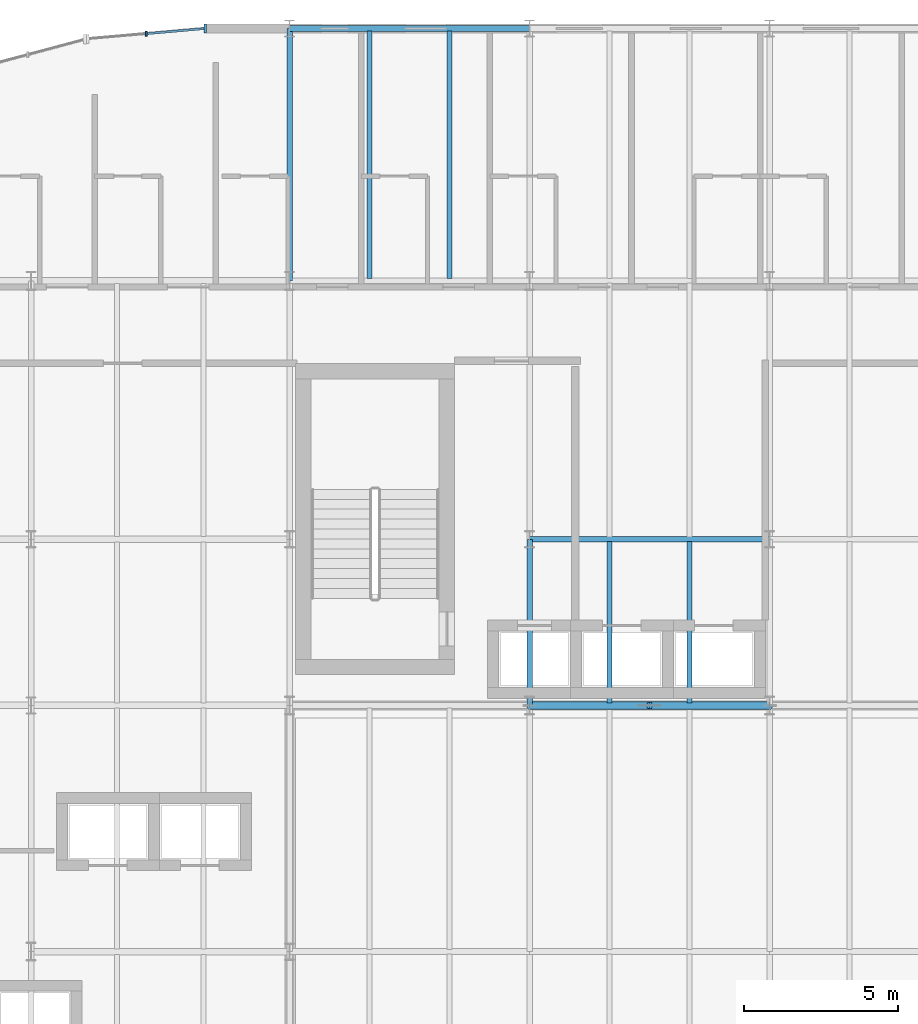
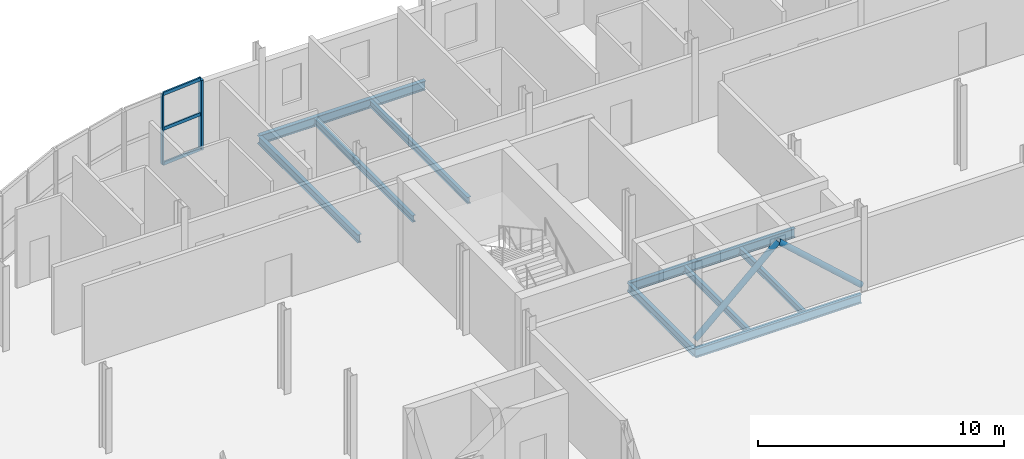
# One storey, part 22 of 58: 9 beams, 7 members, 1 element without a shape of its own.
"""IFC4 building model written with IfcOpenShell, lengths in metres."""

from ifc_helpers import new_model, si_unit, direction, frame, origin, origin_2d, place, context, subcontext, project, spatial, rectangle, hollow_circle, i_section, extrude, material, layer, layer_set, material_profile, profile_set, type_object, element, aggregate, save


model = new_model("IFC4")

# Units and contexts
model_context = context("Model", 3, precision=1e-05, world=origin(), true_north=direction((0.0, 1.0)))
body_context = subcontext(model_context, "Body", "Model", "MODEL_VIEW")
ifc_project = project(units=[si_unit("LENGTHUNIT", "METRE"), si_unit("AREAUNIT", "SQUARE_METRE"), si_unit("VOLUMEUNIT", "CUBIC_METRE"), si_unit("PLANEANGLEUNIT", "RADIAN"), si_unit("MASSUNIT", "GRAM", prefix="KILO")], contexts=[model_context])

# Site, building, storey
site_placement = place(None, origin())
site = spatial("IfcSite", under=ifc_project, at=site_placement, CompositionType="ELEMENT")
building_placement = place(site_placement, origin())
building = spatial("IfcBuilding", under=site, at=building_placement, Name="Sefraquen Railside Congress Hotel", CompositionType="ELEMENT")
storey_placement = place(building_placement, frame((0.0, 0.0, 16.199951171875)))
storey = spatial("IfcBuildingStorey", under=building, at=storey_placement, Name="L03", CompositionType="ELEMENT", Elevation=16.199951171875)

# Beams
ifc_material_1 = material(Name="Steel S355JR", Category="steel")
ifc_material_profile_1 = material_profile(ifc_material_1, i_section(OverallWidth=0.179931640625, OverallDepth=0.39990234375, WebThickness=0.008544921875, FlangeThickness=0.013427734375, FilletRadius=0.02099609375, at=origin_2d()), Name="IPE 400")
ifc_profile_set_1 = profile_set([ifc_material_profile_1], Name="Steel S355JR")
beam_type_1 = type_object("IfcBeamType", Name="TB-BM-400I", PredefinedType="BEAM", material=ifc_profile_set_1)
beam_1_placement = place(storey_placement, frame((25.199951171875, 109.800048828125, -0.47998046875), z_axis=(0.0, 1.0, 0.0), x_axis=(-1.0, 0.0, 0.0)))
element("IfcBeam", 1, at=beam_1_placement, inside=storey, type_object=beam_type_1, Name="Floor beam BM-L03-1151", PredefinedType="BEAM", context=body_context, shape_type="SweptSolid", body=[
    extrude(i_section(OverallWidth=0.179931640625, OverallDepth=0.39990234375, WebThickness=0.008544921875, FlangeThickness=0.013427734375, FilletRadius=0.02099609375, at=origin_2d()), origin(), (0.0, 0.0, 1.0), 8.199951171875),
])
beam_2_placement = place(storey_placement, frame((33.0, 96.0, -0.47998046875), z_axis=(0.0, 1.0, 0.0), x_axis=(-1.0, 0.0, 0.0)))
element("IfcBeam", 2, at=beam_2_placement, inside=storey, type_object=beam_type_1, Name="Floor beam BM-L03-1161", PredefinedType="BEAM", context=body_context, shape_type="SweptSolid", body=[
    extrude(i_section(OverallWidth=0.179931640625, OverallDepth=0.39990234375, WebThickness=0.008544921875, FlangeThickness=0.013427734375, FilletRadius=0.02099609375, at=origin_2d()), origin(), (0.0, 0.0, 1.0), 5.39990234375),
])
ifc_material_profile_2 = material_profile(ifc_material_1, i_section(OverallWidth=0.18994140625, OverallDepth=0.449951171875, WebThickness=0.009521484375, FlangeThickness=0.0146484375, FilletRadius=0.02099609375, at=origin_2d()), Name="IPE 450")
ifc_profile_set_2 = profile_set([ifc_material_profile_2], Name="Steel S355JR")
beam_type_2 = type_object("IfcBeamType", Name="TB-BM-450", PredefinedType="BEAM", material=ifc_profile_set_2)
for number, where, z_axis, x_axis, name in (
    (3, (33.0, 96.0, -0.5048828125), (1.0, 0.0, 0.0), (0.0, 1.0, 0.0), "Primary girder BM-L03-1074"),
    (4, (33.0, 101.39990234375, -0.5048828125), (1.0, 0.0, 0.0), (0.0, 1.0, 0.0), "Primary girder BM-L03-1093"),
    (5, (25.199951171875, 118.0, -0.5048828125), (1.0, 0.0, 0.0), (0.0, 1.0, 0.0), "Primary girder BM-L03-1117"),
):
    element("IfcBeam", number, at=place(storey_placement, frame(where, z_axis=z_axis, x_axis=x_axis)), inside=storey, type_object=beam_type_2, Name=name, PredefinedType="BEAM", context=body_context, shape_type="SweptSolid", body=[
        extrude(i_section(OverallWidth=0.18994140625, OverallDepth=0.449951171875, WebThickness=0.009521484375, FlangeThickness=0.0146484375, FilletRadius=0.02099609375, at=origin_2d()), origin(), (0.0, 0.0, 1.0), 7.800048828125),
    ])
ifc_material_profile_3 = material_profile(ifc_material_1, i_section(OverallWidth=0.159912109375, OverallDepth=0.330078125, WebThickness=0.007568359375, FlangeThickness=0.011474609375, FilletRadius=0.01806640625, at=origin_2d()), Name="IPE 330")
ifc_profile_set_3 = profile_set([ifc_material_profile_3], Name="Steel S355JR")
beam_type_3 = type_object("IfcBeamType", Name="TB-JST-330", PredefinedType="JOIST", material=ifc_profile_set_3)
for number, where, z_axis, x_axis, name in (
    (6, (27.800048828125, 109.875, -0.445068359375), (0.0, 1.0, 0.0), (-1.0, 0.0, 0.0), "Composite floor joist BM-L03-J0686"),
    (7, (30.39990234375, 109.875, -0.445068359375), (0.0, 1.0, 0.0), (-1.0, 0.0, 0.0), "Composite floor joist BM-L03-J0687"),
):
    element("IfcBeam", number, at=place(storey_placement, frame(where, z_axis=z_axis, x_axis=x_axis)), inside=storey, type_object=beam_type_3, Name=name, PredefinedType="JOIST", context=body_context, shape_type="SweptSolid", body=[
        extrude(i_section(OverallWidth=0.159912109375, OverallDepth=0.330078125, WebThickness=0.007568359375, FlangeThickness=0.011474609375, FilletRadius=0.01806640625, at=origin_2d()), origin(), (0.0, 0.0, 1.0), 8.050048828125),
    ])
for number, where, z_axis, x_axis, name in (
    (8, (35.60009765625, 96.074951171875, -0.445068359375), (0.0, 1.0, 0.0), (-1.0, 0.0, 0.0), "Composite floor joist BM-L03-J0706"),
    (9, (38.199951171875, 96.074951171875, -0.445068359375), (0.0, 1.0, 0.0), (-1.0, 0.0, 0.0), "Composite floor joist BM-L03-J0707"),
):
    element("IfcBeam", number, at=place(storey_placement, frame(where, z_axis=z_axis, x_axis=x_axis)), inside=storey, type_object=beam_type_3, Name=name, PredefinedType="JOIST", context=body_context, shape_type="SweptSolid", body=[
        extrude(i_section(OverallWidth=0.159912109375, OverallDepth=0.330078125, WebThickness=0.007568359375, FlangeThickness=0.011474609375, FilletRadius=0.01806640625, at=origin_2d()), origin(), (0.0, 0.0, 1.0), 5.25),
    ])

# Members
ifc_material_2 = material(Name="Steel S355J2", Category="steel")
ifc_material_profile_4 = material_profile(ifc_material_2, hollow_circle(Radius=0.136474609375, WallThickness=0.012451171875, at=origin_2d()), Name="CHS 273x12.5")
ifc_profile_set_4 = profile_set([ifc_material_profile_4], Name="Steel S355J2")
member_type_1 = type_object("IfcMemberType", Name="TM-BR-273", PredefinedType="BRACE", material=ifc_profile_set_4)
for number, where, z_axis, x_axis, name in (
    (10, (33.0, 96.0, 0.150146484375), (0.742336739582, 0.0, 0.670026988312), (0.0, 1.0, 0.0), "Chevron braced-frame diagonal BF1-L L03"),
    (11, (40.800048828125, 96.0, 0.150146484375), (-0.742357601268, 0.0, 0.670003874496), (0.0, -1.0, 0.0), "Chevron braced-frame diagonal BF1-R L03"),
):
    element("IfcMember", number, at=place(storey_placement, frame(where, z_axis=z_axis, x_axis=x_axis)), inside=storey, type_object=member_type_1, Name=name, PredefinedType="BRACE", context=body_context, shape_type="SweptSolid", body=[
        extrude(hollow_circle(Radius=0.136474609375, WallThickness=0.012451171875, at=origin_2d()), origin(), (0.0, 0.0, 1.0), 5.253662109375),
    ])

# Curtain wall, members
ifc_material_3 = material(Name="Thermally broken anodised aluminium and low-E double glazing", Category="aluminium")
ifc_layer = layer(ifc_material_3, 0.199951171875)
ifc_layer_set = layer_set([ifc_layer], Name="Thermally broken anodised aluminium and low-E double glazing")
curtain_wall_type = type_object("IfcCurtainWallType", Name="TCW-UCW-28", PredefinedType="USERDEFINED", material=ifc_layer_set)
curtain_wall_placement = place(storey_placement, origin())
curtain_wall = element("IfcCurtainWall", 12, at=curtain_wall_placement, inside=storey, type_object=curtain_wall_type, Name="Rotunda L03 curved curtain wall facet 1", ObjectType="UNITISED CURTAIN WALL", PredefinedType="USERDEFINED")
ifc_material_4 = material(Name="Thermally broken anodised aluminium 6063-T6", Category="aluminium")
ifc_material_profile_5 = material_profile(ifc_material_4, rectangle(XDim=0.06005859375, YDim=0.159912109375, at=origin_2d()), Name="CWM 60x160")
ifc_profile_set_5 = profile_set([ifc_material_profile_5], Name="Thermally broken anodised aluminium 6063-T6")
member_type_2 = type_object("IfcMemberType", Name="TM-CWM-01", PredefinedType="MULLION", material=ifc_profile_set_5)
member_1_placement = place(storey_placement, frame((20.54638671875, 117.8291015625, 0.0), z_axis=(0.0, 0.0, 1.0), x_axis=(1.0, 0.0, 0.0)))
member_1 = element("IfcMember", 13, at=member_1_placement, type_object=member_type_2, Name="CW-L03-ROT-01 mullion 2", PredefinedType="MULLION", context=body_context, shape_type="SweptSolid", body=[
    extrude(rectangle(XDim=0.06005859375, YDim=0.159912109375, at=origin_2d()), origin(), (0.0, 0.0, 1.0), 3.469970703125),
])
ifc_material_profile_6 = material_profile(ifc_material_4, rectangle(XDim=0.094970703125, YDim=0.300048828125, at=origin_2d()), Name="CWM 95x300")
ifc_profile_set_6 = profile_set([ifc_material_profile_6], Name="Thermally broken anodised aluminium 6063-T6")
member_type_3 = type_object("IfcMemberType", Name="TM-CWM-08", PredefinedType="MULLION", material=ifc_profile_set_6)
member_2_placement = place(storey_placement, frame((22.460205078125, 117.99658203125, 0.0), z_axis=(0.0, 0.0, 1.0), x_axis=(1.0, 0.0, 0.0)))
member_2 = element("IfcMember", 14, at=member_2_placement, type_object=member_type_3, Name="CW-L03-ROT-01 mullion 1", PredefinedType="MULLION", context=body_context, shape_type="SweptSolid", body=[
    extrude(rectangle(XDim=0.094970703125, YDim=0.300048828125, at=origin_2d()), origin(), (0.0, 0.0, 1.0), 3.469970703125),
])
ifc_material_profile_7 = material_profile(ifc_material_4, rectangle(XDim=0.074951171875, YDim=0.1650390625, at=origin_2d()), Name="CWT 75x165")
ifc_profile_set_7 = profile_set([ifc_material_profile_7], Name="Thermally broken anodised aluminium 6063-T6")
member_type_4 = type_object("IfcMemberType", Name="TM-CWT-04", PredefinedType="USERDEFINED", material=ifc_profile_set_7)
member_3_placement = place(storey_placement, frame((22.415283203125, 117.99267578125, 0.0), z_axis=(-0.996190387898, -0.08720499447, 0.0), x_axis=(0.08720499447, -0.996190387898, 0.0)))
member_3 = element("IfcMember", 15, at=member_3_placement, type_object=member_type_4, Name="CW-L03-ROT-01 transom 1.1", ObjectType="TRANSOM", PredefinedType="USERDEFINED", context=body_context, shape_type="SweptSolid", body=[
    extrude(rectangle(XDim=0.074951171875, YDim=0.1650390625, at=origin_2d()), origin(), (0.0, 0.0, 1.0), 1.8310546875),
])
member_4_placement = place(storey_placement, frame((22.415283203125, 117.99267578125, 1.735107421875), z_axis=(-0.996190387898, -0.08720499447, 0.0), x_axis=(0.08720499447, -0.996190387898, 0.0)))
member_4 = element("IfcMember", 16, at=member_4_placement, type_object=member_type_4, Name="CW-L03-ROT-01 transom 2.1", ObjectType="TRANSOM", PredefinedType="USERDEFINED", context=body_context, shape_type="SweptSolid", body=[
    extrude(rectangle(XDim=0.074951171875, YDim=0.1650390625, at=origin_2d()), origin(), (0.0, 0.0, 1.0), 1.8310546875),
])
member_5_placement = place(storey_placement, frame((22.415283203125, 117.99267578125, 3.469970703125), z_axis=(-0.996190387898, -0.08720499447, 0.0), x_axis=(0.08720499447, -0.996190387898, 0.0)))
member_5 = element("IfcMember", 17, at=member_5_placement, type_object=member_type_4, Name="CW-L03-ROT-01 transom 3.1", ObjectType="TRANSOM", PredefinedType="USERDEFINED", context=body_context, shape_type="SweptSolid", body=[
    extrude(rectangle(XDim=0.074951171875, YDim=0.1650390625, at=origin_2d()), origin(), (0.0, 0.0, 1.0), 1.8310546875),
])
aggregate(curtain_wall, [member_2, member_1, member_3, member_4, member_5])

save(model, "model.ifc")
